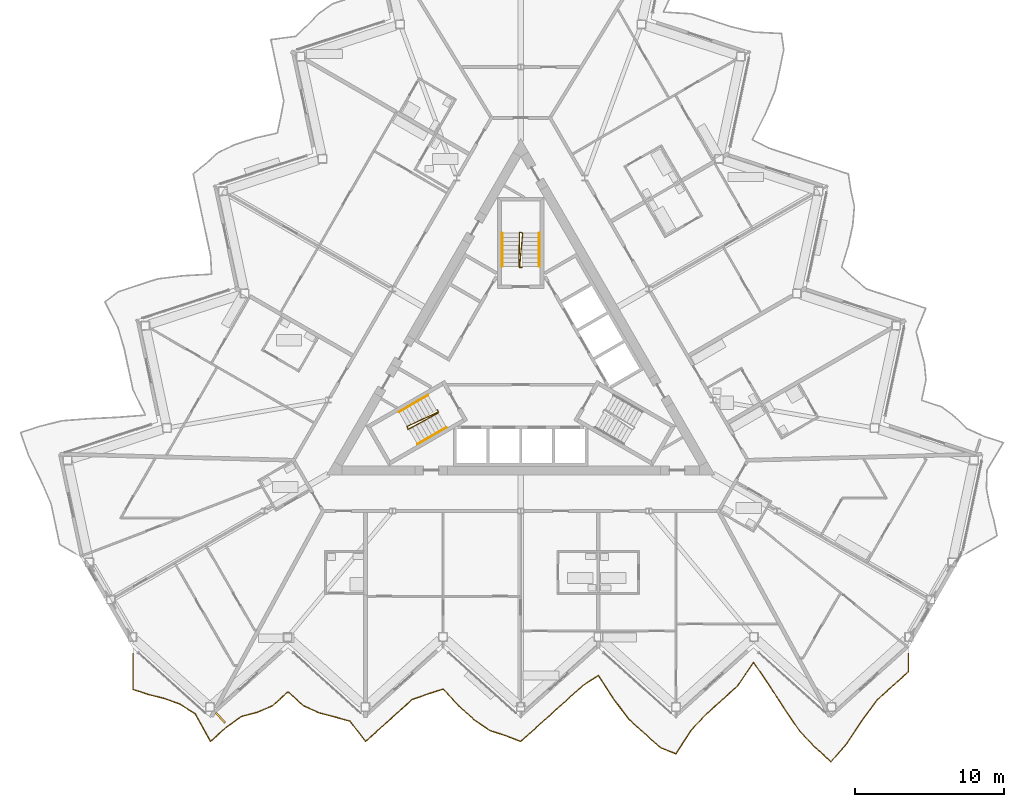
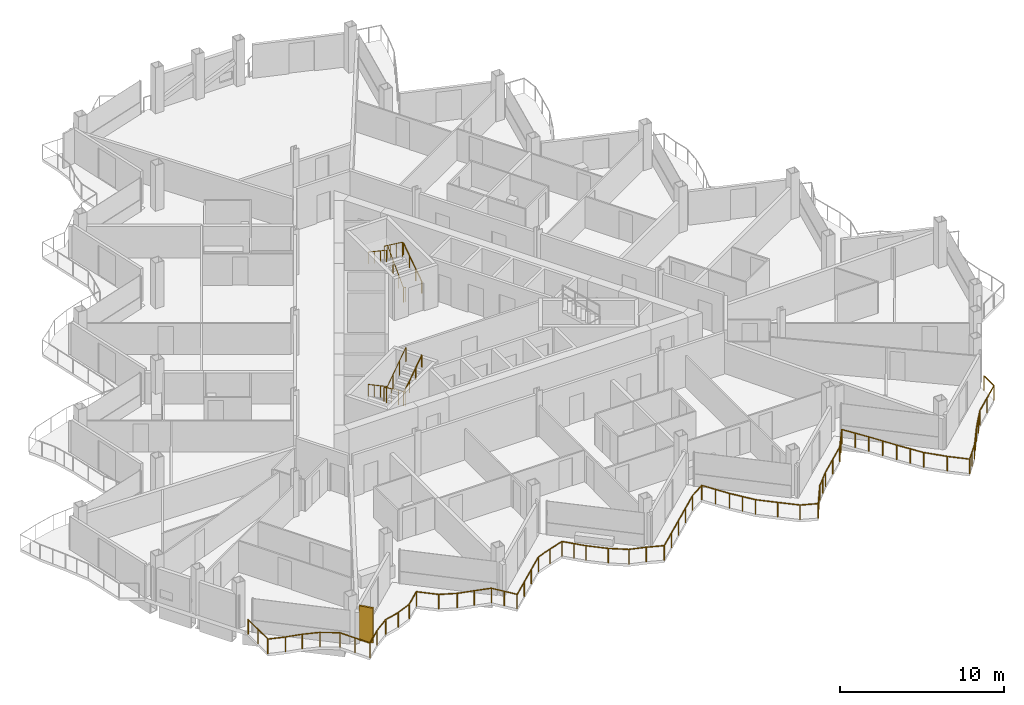
# One storey, part 23 of 28: 7 railings, 1 shading device.
"""IFC4 building model written with IfcOpenShell, lengths in metres."""

from ifc_helpers import new_model, si_unit, direction, frame, origin, origin_2d, place, context, subcontext, project, spatial, rectangle, circle, extrude, material, layer, layer_set, type_object, element, save


model = new_model("IFC4")

# Units and contexts
model_context = context("Model", 3, precision=1e-05, world=origin(), true_north=direction((0.0, 1.0)))
body_context = subcontext(model_context, "Body", "Model", "MODEL_VIEW")
ifc_project = project(units=[si_unit("LENGTHUNIT", "METRE"), si_unit("AREAUNIT", "SQUARE_METRE"), si_unit("VOLUMEUNIT", "CUBIC_METRE"), si_unit("PLANEANGLEUNIT", "RADIAN"), si_unit("MASSUNIT", "GRAM", prefix="KILO")], contexts=[model_context])

# Site, building, storey
site_placement = place(None, origin())
site = spatial("IfcSite", under=ifc_project, at=site_placement, CompositionType="ELEMENT")
building_placement = place(site_placement, origin())
building = spatial("IfcBuilding", under=site, at=building_placement, Name="Cormorant Prow Tower", CompositionType="ELEMENT")
storey_placement = place(building_placement, frame((0.0, 0.0, 301.800048828125)))
storey = spatial("IfcBuildingStorey", under=building, at=storey_placement, Name="L65", CompositionType="ELEMENT", Elevation=301.800048828125)

# Railings
ifc_material_1 = material(Name="Aluminium 6063-T6", Category="aluminium")
railing_type_1 = type_object("IfcRailingType", Name="Balcony guard 1100", PredefinedType="GUARDRAIL", material=ifc_material_1)
railing_1_placement = place(storey_placement, frame((-25.95458984375, -19.43505859375, 0.0)))
element("IfcRailing", 1, at=railing_1_placement, inside=storey, type_object=railing_type_1, Name="Balcony guard S", PredefinedType="GUARDRAIL", context=body_context, shape_type="SweptSolid", body=[
    extrude(circle(Radius=0.02392578125, at=origin_2d()), frame((0.0, 0.0, 1.076171875), z_axis=(0.0, -1.0, 0.0), x_axis=(1.0, 0.0, 0.0)), (0.0, 0.0, 1.0), 2.40380859375),
    extrude(circle(Radius=0.02392578125, at=origin_2d()), frame((0.0, -2.40380859375, 1.076171875), z_axis=(0.949173259648, -0.314754067757, 0.0), x_axis=(0.314754067757, 0.949173259648, 0.0)), (0.0, 0.0, 1.0), 1.09375),
    extrude(circle(Radius=0.02392578125, at=origin_2d()), frame((1.0380859375, -2.748046875, 1.076171875), z_axis=(0.970517275206, -0.241031571641, 0.0), x_axis=(0.241031571641, 0.970517275206, 0.0)), (0.0, 0.0, 1.0), 1.069580078125),
    extrude(circle(Radius=0.02392578125, at=origin_2d()), frame((2.076171875, -3.005859375, 1.076171875), z_axis=(0.941736901788, -0.336350424128, 0.0), x_axis=(0.336350424128, 0.941736901788, 0.0)), (0.0, 0.0, 1.0), 1.1025390625),
    extrude(circle(Radius=0.02392578125, at=origin_2d()), frame((3.114501953125, -3.376708984375, 1.076171875), z_axis=(0.848043120232, -0.529927227294, 0.0), x_axis=(0.529927227294, 0.848043120232, 0.0)), (0.0, 0.0, 1.0), 1.22412109375),
    extrude(circle(Radius=0.02392578125, at=origin_2d()), frame((4.152587890625, -4.025390625, 1.076171875), z_axis=(0.485672025198, -0.874141112144, 0.0), x_axis=(0.874141112144, 0.485672025198, 0.0)), (0.0, 0.0, 1.0), 2.137451171875),
    extrude(circle(Radius=0.02392578125, at=origin_2d()), frame((5.190673828125, -5.893798828125, 1.076171875), z_axis=(0.743181180353, 0.669090227973, 0.0), x_axis=(-0.669090227973, 0.743181180353, 0.0)), (0.0, 0.0, 1.0), 1.397216796875),
    extrude(circle(Radius=0.02392578125, at=origin_2d()), frame((6.22900390625, -4.958984375, 1.076171875), z_axis=(0.813112800382, 0.582106153425, 0.0), x_axis=(-0.582106153425, 0.813112800382, 0.0)), (0.0, 0.0, 1.0), 1.276611328125),
    extrude(circle(Radius=0.02392578125, at=origin_2d()), frame((7.26708984375, -4.2158203125, 1.076171875), z_axis=(0.967976416929, 0.251041144574, 0.0), x_axis=(-0.251041144574, 0.967976416929, 0.0)), (0.0, 0.0, 1.0), 1.07275390625),
    extrude(circle(Radius=0.02392578125, at=origin_2d()), frame((8.305419921875, -3.946533203125, 1.076171875), z_axis=(0.920104863514, 0.39167210794, 0.0), x_axis=(-0.39167210794, 0.920104863514, 0.0)), (0.0, 0.0, 1.0), 1.128173828125),
    extrude(circle(Radius=0.02392578125, at=origin_2d()), frame((9.343505859375, -3.504638671875, 1.076171875), z_axis=(0.743181180353, 0.669090227973, 0.0), x_axis=(-0.669090227973, 0.743181180353, 0.0)), (0.0, 0.0, 1.0), 1.397216796875),
    extrude(circle(Radius=0.02392578125, at=origin_2d()), frame((10.3818359375, -2.56982421875, 1.076171875), z_axis=(0.743102935947, -0.669177126468, 0.0), x_axis=(0.669177126468, 0.743102935947, 0.0)), (0.0, 0.0, 1.0), 1.39697265625),
    extrude(circle(Radius=0.02392578125, at=origin_2d()), frame((11.419921875, -3.504638671875, 1.076171875), z_axis=(0.911668647203, -0.410926121958, 0.0), x_axis=(0.410926121958, 0.911668647203, 0.0)), (0.0, 0.0, 1.0), 1.138916015625),
    extrude(circle(Radius=0.02392578125, at=origin_2d()), frame((12.458251953125, -3.97265625, 1.076171875), z_axis=(0.967239344421, -0.253866206109, 0.0), x_axis=(0.253866206109, 0.967239344421, 0.0)), (0.0, 0.0, 1.0), 1.0732421875),
    extrude(circle(Radius=0.02392578125, at=origin_2d()), frame((13.496337890625, -4.2451171875, 1.076171875), z_axis=(0.961694459853, -0.274123632489, 0.0), x_axis=(0.274123632489, 0.961694459853, 0.0)), (0.0, 0.0, 1.0), 1.079345703125),
    extrude(circle(Radius=0.02392578125, at=origin_2d()), frame((14.534423828125, -4.541015625, 1.076171875), z_axis=(0.608873261751, -0.793267515486, 0.0), x_axis=(0.793267515486, 0.608873261751, 0.0)), (0.0, 0.0, 1.0), 1.705322265625),
    extrude(circle(Radius=0.02392578125, at=origin_2d()), frame((15.57275390625, -5.893798828125, 1.076171875), z_axis=(0.743102935947, 0.669177126468, 0.0), x_axis=(-0.669177126468, 0.743102935947, 0.0)), (0.0, 0.0, 1.0), 1.39697265625),
    extrude(circle(Radius=0.02392578125, at=origin_2d()), frame((16.61083984375, -4.958984375, 1.076171875), z_axis=(0.743181180353, 0.669090227973, 0.0), x_axis=(-0.669090227973, 0.743181180353, 0.0)), (0.0, 0.0, 1.0), 1.397216796875),
    extrude(circle(Radius=0.02392578125, at=origin_2d()), frame((17.649169921875, -4.024169921875, 1.076171875), z_axis=(0.743102935947, 0.669177126468, 0.0), x_axis=(-0.669177126468, 0.743102935947, 0.0)), (0.0, 0.0, 1.0), 1.39697265625),
    extrude(circle(Radius=0.02392578125, at=origin_2d()), frame((18.687255859375, -3.08935546875, 1.076171875), z_axis=(0.942017211045, 0.335564560248, 0.0), x_axis=(-0.335564560248, 0.942017211045, 0.0)), (0.0, 0.0, 1.0), 1.102294921875),
    extrude(circle(Radius=0.02392578125, at=origin_2d()), frame((19.7255859375, -2.719482421875, 1.076171875), z_axis=(0.951224593254, 0.30849922721, 0.0), x_axis=(-0.30849922721, 0.951224593254, 0.0)), (0.0, 0.0, 1.0), 1.09130859375),
    extrude(circle(Radius=0.02392578125, at=origin_2d()), frame((20.763671875, -2.3828125, 1.076171875), z_axis=(0.6791818494, -0.733970037158, 0.0), x_axis=(0.733970037158, 0.6791818494, 0.0)), (0.0, 0.0, 1.0), 1.5283203125),
    extrude(circle(Radius=0.02392578125, at=origin_2d()), frame((21.8017578125, -3.504638671875, 1.076171875), z_axis=(0.743181180353, -0.669090227973, 0.0), x_axis=(0.669090227973, 0.743181180353, 0.0)), (0.0, 0.0, 1.0), 1.397216796875),
    extrude(circle(Radius=0.02392578125, at=origin_2d()), frame((22.840087890625, -4.439453125, 1.076171875), z_axis=(0.820987837524, -0.570945680987, 0.0), x_axis=(0.570945680987, 0.820987837524, 0.0)), (0.0, 0.0, 1.0), 1.264404296875),
    extrude(circle(Radius=0.02392578125, at=origin_2d()), frame((23.878173828125, -5.161376953125, 1.076171875), z_axis=(0.953586053712, -0.301120637229, 0.0), x_axis=(0.301120637229, 0.953586053712, 0.0)), (0.0, 0.0, 1.0), 1.0888671875),
    extrude(circle(Radius=0.02392578125, at=origin_2d()), frame((24.91650390625, -5.4892578125, 1.076171875), z_axis=(0.931749472276, -0.363101805165, 0.0), x_axis=(0.363101805165, 0.931749472276, 0.0)), (0.0, 0.0, 1.0), 1.114013671875),
    extrude(circle(Radius=0.02392578125, at=origin_2d()), frame((25.95458984375, -5.893798828125, 1.076171875), z_axis=(0.743102935947, 0.669177126468, 0.0), x_axis=(-0.669177126468, 0.743102935947, 0.0)), (0.0, 0.0, 1.0), 1.39697265625),
    extrude(circle(Radius=0.02392578125, at=origin_2d()), frame((26.99267578125, -4.958984375, 1.076171875), z_axis=(0.743181180353, 0.669090227973, 0.0), x_axis=(-0.669090227973, 0.743181180353, 0.0)), (0.0, 0.0, 1.0), 1.397216796875),
    extrude(circle(Radius=0.02392578125, at=origin_2d()), frame((28.031005859375, -4.024169921875, 1.076171875), z_axis=(0.743102935947, 0.669177126468, 0.0), x_axis=(-0.669177126468, 0.743102935947, 0.0)), (0.0, 0.0, 1.0), 1.39697265625),
    extrude(circle(Radius=0.02392578125, at=origin_2d()), frame((29.069091796875, -3.08935546875, 1.076171875), z_axis=(0.743181180353, 0.669090227973, 0.0), x_axis=(-0.669090227973, 0.743181180353, 0.0)), (0.0, 0.0, 1.0), 1.397216796875),
    extrude(circle(Radius=0.02392578125, at=origin_2d()), frame((30.107421875, -2.154541015625, 1.076171875), z_axis=(0.837073641945, 0.547090228355, 0.0), x_axis=(-0.547090228355, 0.837073641945, 0.0)), (0.0, 0.0, 1.0), 1.240234375),
    extrude(circle(Radius=0.02392578125, at=origin_2d()), frame((31.1455078125, -1.47607421875, 1.076171875), z_axis=(0.546017058916, -0.837774057472, 0.0), x_axis=(0.837774057472, 0.546017058916, 0.0)), (0.0, 0.0, 1.0), 1.901123046875),
    extrude(circle(Radius=0.02392578125, at=origin_2d()), frame((32.18359375, -3.06884765625, 1.076171875), z_axis=(0.603854954358, -0.797094219084, 0.0), x_axis=(0.797094219084, 0.603854954358, 0.0)), (0.0, 0.0, 1.0), 1.719482421875),
    extrude(circle(Radius=0.02392578125, at=origin_2d()), frame((33.221923828125, -4.439453125, 1.076171875), z_axis=(0.743102935947, -0.669177126468, 0.0), x_axis=(0.669177126468, 0.743102935947, 0.0)), (0.0, 0.0, 1.0), 1.39697265625),
    extrude(circle(Radius=0.02392578125, at=origin_2d()), frame((34.260009765625, -5.374267578125, 1.076171875), z_axis=(0.746837425628, -0.665006661381, 0.0), x_axis=(0.665006661381, 0.746837425628, 0.0)), (0.0, 0.0, 1.0), 1.390380859375),
    extrude(circle(Radius=0.02392578125, at=origin_2d()), frame((35.29833984375, -6.298828125, 1.076171875), z_axis=(0.926950423563, -0.375183837947, 0.0), x_axis=(0.375183837947, 0.926950423563, 0.0)), (0.0, 0.0, 1.0), 1.119873046875),
    extrude(circle(Radius=0.02392578125, at=origin_2d()), frame((36.33642578125, -6.718994140625, 1.076171875), z_axis=(0.543590406958, 0.839350623675, 0.0), x_axis=(-0.839350623675, 0.543590406958, 0.0)), (0.0, 0.0, 1.0), 1.91015625),
    extrude(circle(Radius=0.02392578125, at=origin_2d()), frame((37.374755859375, -5.11572265625, 1.076171875), z_axis=(0.689136977099, 0.724631097039, 0.0), x_axis=(-0.724631097039, 0.689136977099, 0.0)), (0.0, 0.0, 1.0), 1.50634765625),
    extrude(circle(Radius=0.02392578125, at=origin_2d()), frame((38.412841796875, -4.024169921875, 1.076171875), z_axis=(0.743102935947, 0.669177126468, 0.0), x_axis=(-0.669177126468, 0.743102935947, 0.0)), (0.0, 0.0, 1.0), 1.39697265625),
    extrude(circle(Radius=0.02392578125, at=origin_2d()), frame((39.450927734375, -3.08935546875, 1.076171875), z_axis=(0.743181180353, 0.669090227973, 0.0), x_axis=(-0.669090227973, 0.743181180353, 0.0)), (0.0, 0.0, 1.0), 1.397216796875),
    extrude(circle(Radius=0.02392578125, at=origin_2d()), frame((40.4892578125, -2.154541015625, 1.076171875), z_axis=(0.554278971018, 0.832330957184, 0.0), x_axis=(-0.832330957184, 0.554278971018, 0.0)), (0.0, 0.0, 1.0), 1.872802734375),
    extrude(circle(Radius=0.02392578125, at=origin_2d()), frame((41.52734375, -0.595703125, 1.076171875), z_axis=(0.566788967797, -0.823863014089, 0.0), x_axis=(0.823863014089, 0.566788967797, 0.0)), (0.0, 0.0, 1.0), 1.83203125),
    extrude(circle(Radius=0.02392578125, at=origin_2d()), frame((42.565673828125, -2.10498046875, 1.076171875), z_axis=(0.541465375542, -0.840723050171, 0.0), x_axis=(0.840723050171, 0.541465375542, 0.0)), (0.0, 0.0, 1.0), 1.917236328125),
    extrude(circle(Radius=0.02392578125, at=origin_2d()), frame((43.603759765625, -3.716796875, 1.076171875), z_axis=(0.56511254565, -0.825013824581, 0.0), x_axis=(0.825013824581, 0.56511254565, 0.0)), (0.0, 0.0, 1.0), 1.83740234375),
    extrude(circle(Radius=0.02392578125, at=origin_2d()), frame((44.64208984375, -5.232666015625, 1.076171875), z_axis=(0.69417484653, -0.71980642012, 0.0), x_axis=(0.71980642012, 0.69417484653, 0.0)), (0.0, 0.0, 1.0), 1.495361328125),
    extrude(circle(Radius=0.02392578125, at=origin_2d()), frame((45.68017578125, -6.30908203125, 1.076171875), z_axis=(0.743181180353, -0.669090227973, 0.0), x_axis=(0.669090227973, 0.743181180353, 0.0)), (0.0, 0.0, 1.0), 1.397216796875),
    extrude(circle(Radius=0.02392578125, at=origin_2d()), frame((46.718505859375, -7.243896484375, 1.076171875), z_axis=(0.655247292245, 0.755414446516, 0.0), x_axis=(-0.755414446516, 0.655247292245, 0.0)), (0.0, 0.0, 1.0), 1.584228515625),
    extrude(circle(Radius=0.02392578125, at=origin_2d()), frame((47.756591796875, -6.047119140625, 1.076171875), z_axis=(0.554880873784, 0.831929814293, 0.0), x_axis=(-0.831929814293, 0.554880873784, 0.0)), (0.0, 0.0, 1.0), 1.870849609375),
    extrude(circle(Radius=0.02392578125, at=origin_2d()), frame((48.794677734375, -4.49072265625, 1.076171875), z_axis=(0.595331321169, 0.803480315898, 0.0), x_axis=(-0.803480315898, 0.595331321169, 0.0)), (0.0, 0.0, 1.0), 1.744140625),
    extrude(circle(Radius=0.02392578125, at=origin_2d()), frame((49.8330078125, -3.08935546875, 1.076171875), z_axis=(0.743102935947, 0.669177126468, 0.0), x_axis=(-0.669177126468, 0.743102935947, 0.0)), (0.0, 0.0, 1.0), 1.39697265625),
    extrude(circle(Radius=0.02392578125, at=origin_2d()), frame((50.87109375, -2.154541015625, 1.076171875), z_axis=(0.743189845047, 0.669080603678, 0.0), x_axis=(-0.669080603678, 0.743189845047, 0.0)), (0.0, 0.0, 1.0), 1.396728515625),
    extrude(circle(Radius=0.02392578125, at=origin_2d()), frame((51.9091796875, -1.219970703125, 1.076171875), z_axis=(0.0, 1.0, 0.0), x_axis=(-1.0, 0.0, 0.0)), (0.0, 0.0, 1.0), 1.219970703125),
    extrude(circle(Radius=0.02099609375, at=origin_2d()), origin(), (0.0, 0.0, 1.0), 1.052001953125),
    extrude(circle(Radius=0.02099609375, at=origin_2d()), frame((0.0, -1.201904296875, 0.0)), (0.0, 0.0, 1.0), 1.052001953125),
    extrude(circle(Radius=0.02099609375, at=origin_2d()), frame((0.0, -2.40380859375, 0.0)), (0.0, 0.0, 1.0), 1.052001953125),
    extrude(circle(Radius=0.02099609375, at=origin_2d()), frame((1.0380859375, -2.748046875, 0.0)), (0.0, 0.0, 1.0), 1.052001953125),
    extrude(circle(Radius=0.02099609375, at=origin_2d()), frame((2.076171875, -3.005859375, 0.0)), (0.0, 0.0, 1.0), 1.052001953125),
    extrude(circle(Radius=0.02099609375, at=origin_2d()), frame((3.114501953125, -3.376708984375, 0.0)), (0.0, 0.0, 1.0), 1.052001953125),
    extrude(circle(Radius=0.02099609375, at=origin_2d()), frame((4.152587890625, -4.025390625, 0.0)), (0.0, 0.0, 1.0), 1.052001953125),
    extrude(circle(Radius=0.02099609375, at=origin_2d()), frame((4.671630859375, -4.95947265625, 0.0)), (0.0, 0.0, 1.0), 1.052001953125),
    extrude(circle(Radius=0.02099609375, at=origin_2d()), frame((5.190673828125, -5.893798828125, 0.0)), (0.0, 0.0, 1.0), 1.052001953125),
    extrude(circle(Radius=0.02099609375, at=origin_2d()), frame((6.22900390625, -4.958984375, 0.0)), (0.0, 0.0, 1.0), 1.052001953125),
    extrude(circle(Radius=0.02099609375, at=origin_2d()), frame((7.26708984375, -4.2158203125, 0.0)), (0.0, 0.0, 1.0), 1.052001953125),
    extrude(circle(Radius=0.02099609375, at=origin_2d()), frame((8.305419921875, -3.946533203125, 0.0)), (0.0, 0.0, 1.0), 1.052001953125),
    extrude(circle(Radius=0.02099609375, at=origin_2d()), frame((9.343505859375, -3.504638671875, 0.0)), (0.0, 0.0, 1.0), 1.052001953125),
    extrude(circle(Radius=0.02099609375, at=origin_2d()), frame((10.3818359375, -2.56982421875, 0.0)), (0.0, 0.0, 1.0), 1.052001953125),
    extrude(circle(Radius=0.02099609375, at=origin_2d()), frame((11.419921875, -3.504638671875, 0.0)), (0.0, 0.0, 1.0), 1.052001953125),
    extrude(circle(Radius=0.02099609375, at=origin_2d()), frame((12.458251953125, -3.97265625, 0.0)), (0.0, 0.0, 1.0), 1.052001953125),
    extrude(circle(Radius=0.02099609375, at=origin_2d()), frame((13.496337890625, -4.2451171875, 0.0)), (0.0, 0.0, 1.0), 1.052001953125),
    extrude(circle(Radius=0.02099609375, at=origin_2d()), frame((14.534423828125, -4.541015625, 0.0)), (0.0, 0.0, 1.0), 1.052001953125),
    extrude(circle(Radius=0.02099609375, at=origin_2d()), frame((15.0537109375, -5.21728515625, 0.0)), (0.0, 0.0, 1.0), 1.052001953125),
    extrude(circle(Radius=0.02099609375, at=origin_2d()), frame((15.57275390625, -5.893798828125, 0.0)), (0.0, 0.0, 1.0), 1.052001953125),
    extrude(circle(Radius=0.02099609375, at=origin_2d()), frame((16.61083984375, -4.958984375, 0.0)), (0.0, 0.0, 1.0), 1.052001953125),
    extrude(circle(Radius=0.02099609375, at=origin_2d()), frame((17.649169921875, -4.024169921875, 0.0)), (0.0, 0.0, 1.0), 1.052001953125),
    extrude(circle(Radius=0.02099609375, at=origin_2d()), frame((18.687255859375, -3.08935546875, 0.0)), (0.0, 0.0, 1.0), 1.052001953125),
    extrude(circle(Radius=0.02099609375, at=origin_2d()), frame((19.7255859375, -2.719482421875, 0.0)), (0.0, 0.0, 1.0), 1.052001953125),
    extrude(circle(Radius=0.02099609375, at=origin_2d()), frame((20.763671875, -2.3828125, 0.0)), (0.0, 0.0, 1.0), 1.052001953125),
    extrude(circle(Radius=0.02099609375, at=origin_2d()), frame((21.28271484375, -2.94384765625, 0.0)), (0.0, 0.0, 1.0), 1.052001953125),
    extrude(circle(Radius=0.02099609375, at=origin_2d()), frame((21.8017578125, -3.504638671875, 0.0)), (0.0, 0.0, 1.0), 1.052001953125),
    extrude(circle(Radius=0.02099609375, at=origin_2d()), frame((22.840087890625, -4.439453125, 0.0)), (0.0, 0.0, 1.0), 1.052001953125),
    extrude(circle(Radius=0.02099609375, at=origin_2d()), frame((23.878173828125, -5.161376953125, 0.0)), (0.0, 0.0, 1.0), 1.052001953125),
    extrude(circle(Radius=0.02099609375, at=origin_2d()), frame((24.91650390625, -5.4892578125, 0.0)), (0.0, 0.0, 1.0), 1.052001953125),
    extrude(circle(Radius=0.02099609375, at=origin_2d()), frame((25.95458984375, -5.893798828125, 0.0)), (0.0, 0.0, 1.0), 1.052001953125),
    extrude(circle(Radius=0.02099609375, at=origin_2d()), frame((26.99267578125, -4.958984375, 0.0)), (0.0, 0.0, 1.0), 1.052001953125),
    extrude(circle(Radius=0.02099609375, at=origin_2d()), frame((28.031005859375, -4.024169921875, 0.0)), (0.0, 0.0, 1.0), 1.052001953125),
    extrude(circle(Radius=0.02099609375, at=origin_2d()), frame((29.069091796875, -3.08935546875, 0.0)), (0.0, 0.0, 1.0), 1.052001953125),
    extrude(circle(Radius=0.02099609375, at=origin_2d()), frame((30.107421875, -2.154541015625, 0.0)), (0.0, 0.0, 1.0), 1.052001953125),
    extrude(circle(Radius=0.02099609375, at=origin_2d()), frame((31.1455078125, -1.47607421875, 0.0)), (0.0, 0.0, 1.0), 1.052001953125),
    extrude(circle(Radius=0.02099609375, at=origin_2d()), frame((31.66455078125, -2.2724609375, 0.0)), (0.0, 0.0, 1.0), 1.052001953125),
    extrude(circle(Radius=0.02099609375, at=origin_2d()), frame((32.18359375, -3.06884765625, 0.0)), (0.0, 0.0, 1.0), 1.052001953125),
    extrude(circle(Radius=0.02099609375, at=origin_2d()), frame((32.70263671875, -3.754150390625, 0.0)), (0.0, 0.0, 1.0), 1.052001953125),
    extrude(circle(Radius=0.02099609375, at=origin_2d()), frame((33.221923828125, -4.439453125, 0.0)), (0.0, 0.0, 1.0), 1.052001953125),
    extrude(circle(Radius=0.02099609375, at=origin_2d()), frame((34.260009765625, -5.374267578125, 0.0)), (0.0, 0.0, 1.0), 1.052001953125),
    extrude(circle(Radius=0.02099609375, at=origin_2d()), frame((35.29833984375, -6.298828125, 0.0)), (0.0, 0.0, 1.0), 1.052001953125),
    extrude(circle(Radius=0.02099609375, at=origin_2d()), frame((36.33642578125, -6.718994140625, 0.0)), (0.0, 0.0, 1.0), 1.052001953125),
    extrude(circle(Radius=0.02099609375, at=origin_2d()), frame((36.85546875, -5.91748046875, 0.0)), (0.0, 0.0, 1.0), 1.052001953125),
    extrude(circle(Radius=0.02099609375, at=origin_2d()), frame((37.374755859375, -5.11572265625, 0.0)), (0.0, 0.0, 1.0), 1.052001953125),
    extrude(circle(Radius=0.02099609375, at=origin_2d()), frame((37.893798828125, -4.56982421875, 0.0)), (0.0, 0.0, 1.0), 1.052001953125),
    extrude(circle(Radius=0.02099609375, at=origin_2d()), frame((38.412841796875, -4.024169921875, 0.0)), (0.0, 0.0, 1.0), 1.052001953125),
    extrude(circle(Radius=0.02099609375, at=origin_2d()), frame((39.450927734375, -3.08935546875, 0.0)), (0.0, 0.0, 1.0), 1.052001953125),
    extrude(circle(Radius=0.02099609375, at=origin_2d()), frame((40.4892578125, -2.154541015625, 0.0)), (0.0, 0.0, 1.0), 1.052001953125),
    extrude(circle(Radius=0.02099609375, at=origin_2d()), frame((41.00830078125, -1.375, 0.0)), (0.0, 0.0, 1.0), 1.052001953125),
    extrude(circle(Radius=0.02099609375, at=origin_2d()), frame((41.52734375, -0.595703125, 0.0)), (0.0, 0.0, 1.0), 1.052001953125),
    extrude(circle(Radius=0.02099609375, at=origin_2d()), frame((42.04638671875, -1.350341796875, 0.0)), (0.0, 0.0, 1.0), 1.052001953125),
    extrude(circle(Radius=0.02099609375, at=origin_2d()), frame((42.565673828125, -2.10498046875, 0.0)), (0.0, 0.0, 1.0), 1.052001953125),
    extrude(circle(Radius=0.02099609375, at=origin_2d()), frame((43.084716796875, -2.910888671875, 0.0)), (0.0, 0.0, 1.0), 1.052001953125),
    extrude(circle(Radius=0.02099609375, at=origin_2d()), frame((43.603759765625, -3.716796875, 0.0)), (0.0, 0.0, 1.0), 1.052001953125),
    extrude(circle(Radius=0.02099609375, at=origin_2d()), frame((44.123046875, -4.474609375, 0.0)), (0.0, 0.0, 1.0), 1.052001953125),
    extrude(circle(Radius=0.02099609375, at=origin_2d()), frame((44.64208984375, -5.232666015625, 0.0)), (0.0, 0.0, 1.0), 1.052001953125),
    extrude(circle(Radius=0.02099609375, at=origin_2d()), frame((45.68017578125, -6.30908203125, 0.0)), (0.0, 0.0, 1.0), 1.052001953125),
    extrude(circle(Radius=0.02099609375, at=origin_2d()), frame((46.718505859375, -7.243896484375, 0.0)), (0.0, 0.0, 1.0), 1.052001953125),
    extrude(circle(Radius=0.02099609375, at=origin_2d()), frame((47.237548828125, -6.6455078125, 0.0)), (0.0, 0.0, 1.0), 1.052001953125),
    extrude(circle(Radius=0.02099609375, at=origin_2d()), frame((47.756591796875, -6.047119140625, 0.0)), (0.0, 0.0, 1.0), 1.052001953125),
    extrude(circle(Radius=0.02099609375, at=origin_2d()), frame((48.275634765625, -5.26904296875, 0.0)), (0.0, 0.0, 1.0), 1.052001953125),
    extrude(circle(Radius=0.02099609375, at=origin_2d()), frame((48.794677734375, -4.49072265625, 0.0)), (0.0, 0.0, 1.0), 1.052001953125),
    extrude(circle(Radius=0.02099609375, at=origin_2d()), frame((49.31396484375, -3.7900390625, 0.0)), (0.0, 0.0, 1.0), 1.052001953125),
    extrude(circle(Radius=0.02099609375, at=origin_2d()), frame((49.8330078125, -3.08935546875, 0.0)), (0.0, 0.0, 1.0), 1.052001953125),
    extrude(circle(Radius=0.02099609375, at=origin_2d()), frame((50.87109375, -2.154541015625, 0.0)), (0.0, 0.0, 1.0), 1.052001953125),
    extrude(circle(Radius=0.02099609375, at=origin_2d()), frame((51.9091796875, -1.219970703125, 0.0)), (0.0, 0.0, 1.0), 1.052001953125),
    extrude(circle(Radius=0.02099609375, at=origin_2d()), frame((51.9091796875, 0.0, 0.0)), (0.0, 0.0, 1.0), 1.052001953125),
])
ifc_material_2 = material(Name="Stainless steel", Category="steel")
railing_type_2 = type_object("IfcRailingType", Name="Stair guard 1100", PredefinedType="GUARDRAIL", material=ifc_material_2)
railing_2_placement = place(storey_placement, frame((-5.585205078125, -3.137939453125, 0.0)))
element("IfcRailing", 2, at=railing_2_placement, inside=storey, type_object=railing_type_2, Name="L65 ST1 stair guard 1", PredefinedType="GUARDRAIL", context=body_context, shape_type="SweptSolid", body=[
    extrude(circle(Radius=0.02392578125, at=origin_2d()), frame((0.0, 0.0, 1.076171875), z_axis=(0.501036270542, -0.865426285481, 0.0), x_axis=(0.865426285481, 0.501036270542, 0.0)), (0.0, 0.0, 1.0), 0.150146484375),
    extrude(circle(Radius=0.02392578125, at=origin_2d()), frame((0.0751953125, -0.1298828125, 1.076171875), z_axis=(-0.728641035543, -0.339941399566, 0.594577233152), x_axis=(0.422792438952, -0.906226546491, 0.0)), (0.0, 0.0, 1.0), 2.859130859375),
    extrude(circle(Radius=0.02392578125, at=origin_2d()), frame((-2.008056640625, -1.101806640625, 2.77587890625), z_axis=(0.275034262293, -0.961434425515, 0.0), x_axis=(0.961434425515, 0.275034262293, 0.0)), (0.0, 0.0, 1.0), 0.2060546875),
    extrude(circle(Radius=0.02392578125, at=origin_2d()), frame((-1.951416015625, -1.2998046875, 2.77587890625), z_axis=(0.704058451865, 0.386179398835, 0.595959032378), x_axis=(-0.480911908544, 0.87676891837, 0.0)), (0.0, 0.0, 1.0), 2.8525390625),
    extrude(circle(Radius=0.02099609375, at=origin_2d()), origin(), (0.0, 0.0, 1.0), 1.052001953125),
    extrude(circle(Radius=0.02099609375, at=origin_2d()), frame((0.0751953125, -0.1298828125, 0.0)), (0.0, 0.0, 1.0), 1.052001953125),
    extrude(circle(Radius=0.02099609375, at=origin_2d()), frame((-0.619140625, -0.453857421875, 0.566650390625)), (0.0, 0.0, 1.0), 1.052001953125),
    extrude(circle(Radius=0.02099609375, at=origin_2d()), frame((-1.313720703125, -0.77783203125, 1.13330078125)), (0.0, 0.0, 1.0), 1.052001953125),
    extrude(circle(Radius=0.02099609375, at=origin_2d()), frame((-2.008056640625, -1.101806640625, 1.699951171875)), (0.0, 0.0, 1.0), 1.052001953125),
    extrude(circle(Radius=0.02099609375, at=origin_2d()), frame((-1.951416015625, -1.2998046875, 1.699951171875)), (0.0, 0.0, 1.0), 1.052001953125),
    extrude(circle(Radius=0.02099609375, at=origin_2d()), frame((-1.281982421875, -0.9326171875, 2.2666015625)), (0.0, 0.0, 1.0), 1.052001953125),
    extrude(circle(Radius=0.02099609375, at=origin_2d()), frame((-0.612548828125, -0.5654296875, 2.833251953125)), (0.0, 0.0, 1.0), 1.052001953125),
    extrude(circle(Radius=0.02099609375, at=origin_2d()), frame((0.056884765625, -0.1982421875, 3.39990234375)), (0.0, 0.0, 1.0), 1.052001953125),
])
railing_3_placement = place(storey_placement, frame((0.074951171875, 6.40576171875, 0.0)))
element("IfcRailing", 3, at=railing_3_placement, inside=storey, type_object=railing_type_2, Name="L65 ST3 stair guard 1", PredefinedType="GUARDRAIL", context=body_context, shape_type="SweptSolid", body=[
    extrude(circle(Radius=0.02392578125, at=origin_2d()), frame((0.0, 0.0, 1.076171875), z_axis=(-1.0, 0.0, 0.0), x_axis=(0.0, -1.0, 0.0)), (0.0, 0.0, 1.0), 0.14990234375),
    extrude(circle(Radius=0.02392578125, at=origin_2d()), frame((-0.14990234375, 0.0, 1.076171875), z_axis=(0.069936542308, 0.800982621307, 0.594588698525), x_axis=(-0.996209839609, 0.086982500921, 0.0)), (0.0, 0.0, 1.0), 2.859130859375),
    extrude(circle(Radius=0.02392578125, at=origin_2d()), frame((0.050048828125, 2.2900390625, 2.77587890625), z_axis=(-0.970072785993, 0.242814311512, 0.0), x_axis=(-0.242814311512, -0.970072785993, 0.0)), (0.0, 0.0, 1.0), 0.2060546875),
    extrude(circle(Radius=0.02392578125, at=origin_2d()), frame((-0.14990234375, 2.340087890625, 2.77587890625), z_axis=(-0.017545750742, -0.80282508275, 0.595956402045), x_axis=(0.999761264773, -0.0218497931, 0.0)), (0.0, 0.0, 1.0), 2.8525390625),
    extrude(circle(Radius=0.02099609375, at=origin_2d()), origin(), (0.0, 0.0, 1.0), 1.052001953125),
    extrude(circle(Radius=0.02099609375, at=origin_2d()), frame((-0.14990234375, 0.0, 0.0)), (0.0, 0.0, 1.0), 1.052001953125),
    extrude(circle(Radius=0.02099609375, at=origin_2d()), frame((-0.083251953125, 0.763427734375, 0.566650390625)), (0.0, 0.0, 1.0), 1.052001953125),
    extrude(circle(Radius=0.02099609375, at=origin_2d()), frame((-0.0166015625, 1.526611328125, 1.13330078125)), (0.0, 0.0, 1.0), 1.052001953125),
    extrude(circle(Radius=0.02099609375, at=origin_2d()), frame((0.050048828125, 2.2900390625, 1.699951171875)), (0.0, 0.0, 1.0), 1.052001953125),
    extrude(circle(Radius=0.02099609375, at=origin_2d()), frame((-0.14990234375, 2.340087890625, 1.699951171875)), (0.0, 0.0, 1.0), 1.052001953125),
    extrude(circle(Radius=0.02099609375, at=origin_2d()), frame((-0.16650390625, 1.57666015625, 2.2666015625)), (0.0, 0.0, 1.0), 1.052001953125),
    extrude(circle(Radius=0.02099609375, at=origin_2d()), frame((-0.183349609375, 0.8134765625, 2.833251953125)), (0.0, 0.0, 1.0), 1.052001953125),
    extrude(circle(Radius=0.02099609375, at=origin_2d()), frame((-0.199951171875, 0.050048828125, 3.39990234375)), (0.0, 0.0, 1.0), 1.052001953125),
])
ifc_material_3 = material(Name="Stainless steel", Category="steel")
railing_type_3 = type_object("IfcRailingType", Name="Stair handrail 900", PredefinedType="HANDRAIL", material=ifc_material_3)
railing_4_placement = place(storey_placement, frame((-6.212890625, -2.150634765625, 0.188720703125)))
element("IfcRailing", 4, at=railing_4_placement, inside=storey, type_object=railing_type_3, Name="L65 ST1 stair handrail 1", PredefinedType="HANDRAIL", context=body_context, shape_type="SweptSolid", body=[
    extrude(circle(Radius=0.02392578125, at=origin_2d()), frame((0.0, 0.0, 0.8759765625), z_axis=(-0.717940317343, -0.414446543626, 0.55928147047), x_axis=(0.49994888933, -0.866054910533, 0.0)), (0.0, 0.0, 1.0), 2.7021484375),
    extrude(circle(Radius=0.02099609375, at=origin_2d()), origin(), (0.0, 0.0, 1.0), 0.851806640625),
    extrude(circle(Radius=0.02099609375, at=origin_2d()), frame((-0.646728515625, -0.373291015625, 0.503662109375)), (0.0, 0.0, 1.0), 0.851806640625),
    extrude(circle(Radius=0.02099609375, at=origin_2d()), frame((-1.293212890625, -0.74658203125, 1.007568359375)), (0.0, 0.0, 1.0), 0.851806640625),
    extrude(circle(Radius=0.02099609375, at=origin_2d()), frame((-1.93994140625, -1.119873046875, 1.51123046875)), (0.0, 0.0, 1.0), 0.851806640625),
])
railing_5_placement = place(storey_placement, frame((-6.90869140625, -5.42529296875, 1.888916015625)))
element("IfcRailing", 5, at=railing_5_placement, inside=storey, type_object=railing_type_3, Name="L65 ST1 stair handrail 2", PredefinedType="HANDRAIL", context=body_context, shape_type="SweptSolid", body=[
    extrude(circle(Radius=0.02392578125, at=origin_2d()), frame((0.0, 0.0, 0.8759765625), z_axis=(0.71790592183, 0.414569209485, 0.559234707389), x_axis=(-0.500077830873, 0.865980463445, 0.0)), (0.0, 0.0, 1.0), 2.701904296875),
    extrude(circle(Radius=0.02099609375, at=origin_2d()), origin(), (0.0, 0.0, 1.0), 0.851806640625),
    extrude(circle(Radius=0.02099609375, at=origin_2d()), frame((0.646484375, 0.373291015625, 0.503662109375)), (0.0, 0.0, 1.0), 0.851806640625),
    extrude(circle(Radius=0.02099609375, at=origin_2d()), frame((1.293212890625, 0.746826171875, 1.00732421875)), (0.0, 0.0, 1.0), 0.851806640625),
    extrude(circle(Radius=0.02099609375, at=origin_2d()), frame((1.939697265625, 1.1201171875, 1.510986328125)), (0.0, 0.0, 1.0), 0.851806640625),
])
railing_6_placement = place(storey_placement, frame((1.243896484375, 6.455810546875, 0.188720703125)))
element("IfcRailing", 6, at=railing_6_placement, inside=storey, type_object=railing_type_3, Name="L65 ST3 stair handrail 1", PredefinedType="HANDRAIL", context=body_context, shape_type="SweptSolid", body=[
    extrude(circle(Radius=0.02392578125, at=origin_2d()), frame((0.0, 0.0, 0.8759765625), z_axis=(0.0, 0.828979582247, 0.559278868023), x_axis=(-1.0, 0.0, 0.0)), (0.0, 0.0, 1.0), 2.7021484375),
    extrude(circle(Radius=0.02099609375, at=origin_2d()), origin(), (0.0, 0.0, 1.0), 0.851806640625),
    extrude(circle(Radius=0.02099609375, at=origin_2d()), frame((0.0, 0.74658203125, 0.503662109375)), (0.0, 0.0, 1.0), 0.851806640625),
    extrude(circle(Radius=0.02099609375, at=origin_2d()), frame((0.0, 1.493408203125, 1.007568359375)), (0.0, 0.0, 1.0), 0.851806640625),
    extrude(circle(Radius=0.02099609375, at=origin_2d()), frame((0.0, 2.239990234375, 1.51123046875)), (0.0, 0.0, 1.0), 0.851806640625),
])
railing_7_placement = place(storey_placement, frame((-1.243896484375, 8.69580078125, 1.888916015625)))
element("IfcRailing", 7, at=railing_7_placement, inside=storey, type_object=railing_type_3, Name="L65 ST3 stair handrail 2", PredefinedType="HANDRAIL", context=body_context, shape_type="SweptSolid", body=[
    extrude(circle(Radius=0.02392578125, at=origin_2d()), frame((0.0, 0.0, 0.8759765625), z_axis=(0.0, -0.829021472004, 0.559216772778), x_axis=(1.0, 0.0, 0.0)), (0.0, 0.0, 1.0), 2.701904296875),
    extrude(circle(Radius=0.02099609375, at=origin_2d()), origin(), (0.0, 0.0, 1.0), 0.851806640625),
    extrude(circle(Radius=0.02099609375, at=origin_2d()), frame((0.0, -0.74658203125, 0.503662109375)), (0.0, 0.0, 1.0), 0.851806640625),
    extrude(circle(Radius=0.02099609375, at=origin_2d()), frame((0.0, -1.493408203125, 1.00732421875)), (0.0, 0.0, 1.0), 0.851806640625),
    extrude(circle(Radius=0.02099609375, at=origin_2d()), frame((0.0, -2.239990234375, 1.510986328125)), (0.0, 0.0, 1.0), 0.851806640625),
])

# Shading device
ifc_material_4 = material(Name="Terracotta", Category="masonry")
ifc_layer = layer(ifc_material_4, 0.1201171875)
ifc_layer_set = layer_set([ifc_layer], Name="Terracotta")
shading_device_type = type_object("IfcShadingDeviceType", Name="Terracotta baguette fin 120x900x2600", PredefinedType="USERDEFINED", material=ifc_layer_set)
shading_device_placement = place(storey_placement, frame((-20.095458984375, -23.732666015625, 0.0), z_axis=(0.0, 0.0, 1.0), x_axis=(0.743144844712, 0.669130584997, 0.0)))
element("IfcShadingDevice", 8, at=shading_device_placement, inside=storey, type_object=shading_device_type, Name="Baguette fin S01", ObjectType="BAGUETTE", PredefinedType="USERDEFINED", context=body_context, shape_type="SweptSolid", body=[
    extrude(rectangle(XDim=0.1201171875, YDim=0.89990234375, at=origin_2d()), origin(), (0.0, 0.0, 1.0), 2.60009765625),
])

save(model, "model.ifc")
